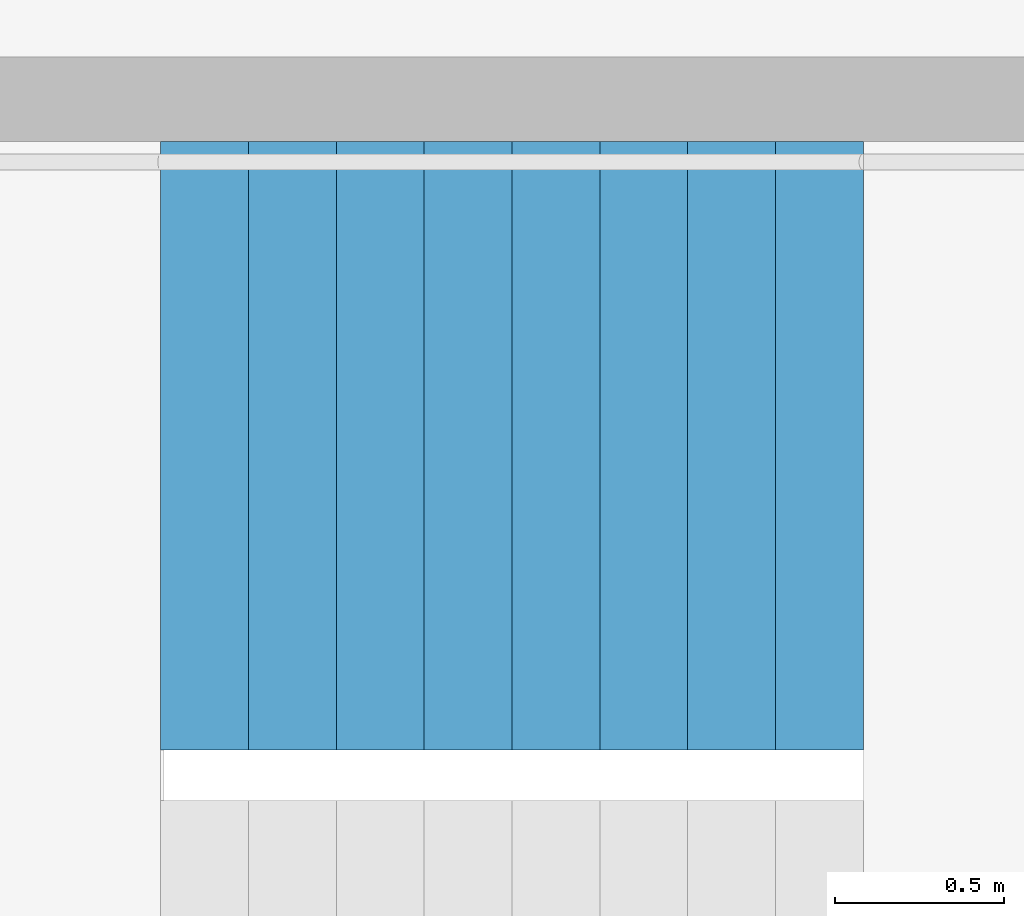
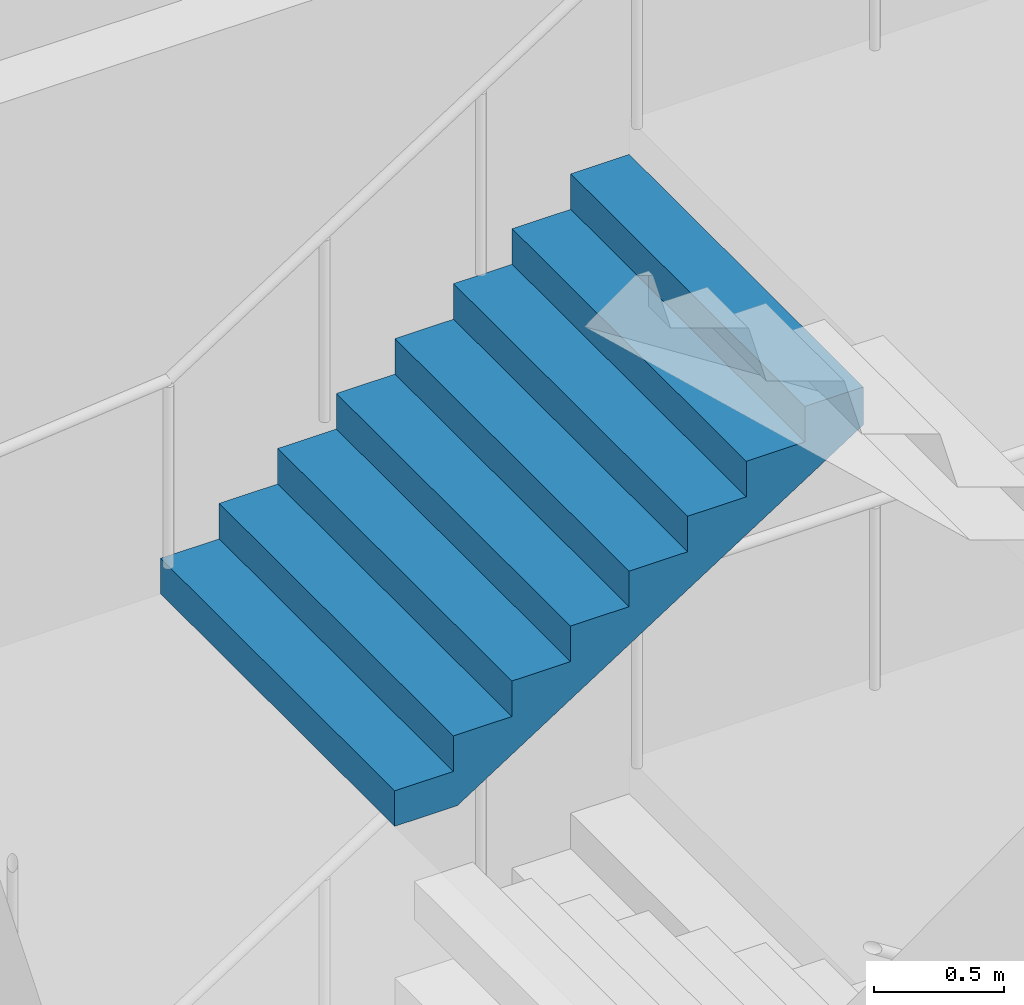
# One storey, part 29 of 35: 1 stair flight, 1 element without a shape of its own.
"""IFC4 building model written with IfcOpenShell, lengths in metres."""

from ifc_helpers import new_model, si_unit, direction, frame, origin, place, context, subcontext, project, spatial, triangles, material, type_object, element, aggregate, save


model = new_model("IFC4")

# Units and contexts
model_context = context("Model", 3, precision=1e-05, world=origin(), true_north=direction((0.0, 1.0)))
body_context = subcontext(model_context, "Body", "Model", "MODEL_VIEW")
ifc_project = project(units=[si_unit("LENGTHUNIT", "METRE"), si_unit("AREAUNIT", "SQUARE_METRE"), si_unit("VOLUMEUNIT", "CUBIC_METRE"), si_unit("PLANEANGLEUNIT", "RADIAN"), si_unit("MASSUNIT", "GRAM", prefix="KILO")], contexts=[model_context])

# Site, building, storey
site_placement = place(None, origin())
site = spatial("IfcSite", under=ifc_project, at=site_placement, CompositionType="ELEMENT")
building_placement = place(site_placement, origin())
building = spatial("IfcBuilding", under=site, at=building_placement, Name="Hakoniwa Tower and Hamabe Station Hall", CompositionType="ELEMENT")
storey_placement = place(building_placement, frame((0.0, 0.0, 270.60009765625)))
storey = spatial("IfcBuildingStorey", under=building, at=storey_placement, Name="L76", CompositionType="ELEMENT", Elevation=270.60009765625)

# Stair, stair flight
ifc_material_1 = material(Name="Concrete C40", Category="concrete")
stair_type = type_object("IfcStairType", Name="ESCAPE STAIR 1800", PredefinedType="HALF_TURN_STAIR", material=ifc_material_1)
stair_placement = place(storey_placement, origin())
stair = element("IfcStair", 1, at=stair_placement, inside=storey, type_object=stair_type, Name="Escape stair ST-4 L76", PredefinedType="HALF_TURN_STAIR")
ifc_material_2 = material(Name="Concrete C40", Category="concrete")
stair_flight_type = type_object("IfcStairFlightType", Name="STAIR FLIGHT 1800", PredefinedType="STRAIGHT", material=ifc_material_2)
stair_flight_placement = place(storey_placement, frame((23.39990234375, -4.64990234375, 3.0), z_axis=(0.0, 0.0, 1.0), x_axis=(1.0, 0.0, 0.0)))
stair_flight = element("IfcStairFlight", 2, at=stair_flight_placement, type_object=stair_flight_type, Name="ST-4 flight 3", NumberOfRisers=9, NumberOfTreads=8, PredefinedType="STRAIGHT", RiserHeight=0.166666667, TreadLength=0.26, context=body_context, shape_type="Tessellation", body=[
    triangles([(0.0, 0.89990234375, 0.0), (0.260009765625, 0.89990234375, 0.0), (0.27783203125, 0.89990234375, 0.0), (0.52001953125, 0.89990234375, 0.1552734375), (0.780029296875, 0.89990234375, 0.322021484375), (1.0400390625, 0.89990234375, 0.488525390625), (1.300048828125, 0.89990234375, 0.6552734375), (1.56005859375, 0.89990234375, 0.822021484375), (1.820068359375, 0.89990234375, 0.988525390625), (2.080078125, 0.89990234375, 1.1552734375), (2.080078125, 0.89990234375, 1.333251953125), (1.820068359375, 0.89990234375, 1.333251953125), (1.820068359375, 0.89990234375, 1.166748046875), (1.56005859375, 0.89990234375, 1.166748046875), (1.56005859375, 0.89990234375, 1.0), (1.300048828125, 0.89990234375, 1.0), (1.300048828125, 0.89990234375, 0.833251953125), (1.0400390625, 0.89990234375, 0.833251953125), (1.0400390625, 0.89990234375, 0.666748046875), (0.780029296875, 0.89990234375, 0.666748046875), (0.780029296875, 0.89990234375, 0.5), (0.52001953125, 0.89990234375, 0.5), (0.52001953125, 0.89990234375, 0.333251953125), (0.27783203125, 0.89990234375, 0.333251953125), (0.260009765625, 0.89990234375, 0.333251953125), (0.260009765625, 0.89990234375, 0.166748046875), (0.0, 0.89990234375, 0.166748046875), (0.0, 0.06005859375, 0.0), (0.260009765625, 0.06005859375, 0.0), (0.27783203125, 0.06005859375, 0.0), (0.52001953125, 0.06005859375, 0.1552734375), (0.780029296875, 0.06005859375, 0.322021484375), (1.0400390625, 0.06005859375, 0.488525390625), (1.300048828125, 0.06005859375, 0.6552734375), (1.56005859375, 0.06005859375, 0.822021484375), (1.820068359375, 0.06005859375, 0.988525390625), (2.080078125, 0.06005859375, 1.1552734375), (2.080078125, 0.06005859375, 1.333251953125), (1.820068359375, 0.06005859375, 1.333251953125), (1.820068359375, 0.06005859375, 1.166748046875), (1.56005859375, 0.06005859375, 1.166748046875), (1.56005859375, 0.06005859375, 1.0), (1.300048828125, 0.06005859375, 1.0), (1.300048828125, 0.06005859375, 0.833251953125), (1.0400390625, 0.06005859375, 0.833251953125), (1.0400390625, 0.06005859375, 0.666748046875), (0.780029296875, 0.06005859375, 0.666748046875), (0.780029296875, 0.06005859375, 0.5), (0.52001953125, 0.06005859375, 0.5), (0.52001953125, 0.06005859375, 0.333251953125), (0.27783203125, 0.06005859375, 0.333251953125), (0.260009765625, 0.06005859375, 0.333251953125), (0.260009765625, 0.06005859375, 0.166748046875), (0.0, 0.06005859375, 0.166748046875), (0.0, 0.04296875, 0.0), (0.260009765625, 0.04296875, 0.0), (0.27783203125, 0.04296875, 0.0), (0.52001953125, 0.04296875, 0.1552734375), (0.780029296875, 0.04296875, 0.322021484375), (1.0400390625, 0.04296875, 0.488525390625), (1.300048828125, 0.04296875, 0.6552734375), (1.56005859375, 0.04296875, 0.822021484375), (1.820068359375, 0.04296875, 0.988525390625), (2.080078125, 0.04296875, 1.1552734375), (2.080078125, 0.04296875, 1.333251953125), (1.820068359375, 0.04296875, 1.333251953125), (1.820068359375, 0.04296875, 1.166748046875), (1.56005859375, 0.04296875, 1.166748046875), (1.56005859375, 0.04296875, 1.0), (1.300048828125, 0.04296875, 1.0), (1.300048828125, 0.04296875, 0.833251953125), (1.0400390625, 0.04296875, 0.833251953125), (1.0400390625, 0.04296875, 0.666748046875), (0.780029296875, 0.04296875, 0.666748046875), (0.780029296875, 0.04296875, 0.5), (0.52001953125, 0.04296875, 0.5), (0.52001953125, 0.04296875, 0.333251953125), (0.27783203125, 0.04296875, 0.333251953125), (0.260009765625, 0.04296875, 0.333251953125), (0.260009765625, 0.04296875, 0.166748046875), (0.0, 0.04296875, 0.166748046875), (0.0, 0.025634765625, 0.0), (0.260009765625, 0.025634765625, 0.0), (0.27783203125, 0.025634765625, 0.0), (0.52001953125, 0.025634765625, 0.1552734375), (0.780029296875, 0.025634765625, 0.322021484375), (1.0400390625, 0.025634765625, 0.488525390625), (1.300048828125, 0.025634765625, 0.6552734375), (1.56005859375, 0.025634765625, 0.822021484375), (1.820068359375, 0.025634765625, 0.988525390625), (2.080078125, 0.025634765625, 1.1552734375), (2.080078125, 0.025634765625, 1.333251953125), (1.820068359375, 0.025634765625, 1.333251953125), (1.820068359375, 0.025634765625, 1.166748046875), (1.56005859375, 0.025634765625, 1.166748046875), (1.56005859375, 0.025634765625, 1.0), (1.300048828125, 0.025634765625, 1.0), (1.300048828125, 0.025634765625, 0.833251953125), (1.0400390625, 0.025634765625, 0.833251953125), (1.0400390625, 0.025634765625, 0.666748046875), (0.780029296875, 0.025634765625, 0.666748046875), (0.780029296875, 0.025634765625, 0.5), (0.52001953125, 0.025634765625, 0.5), (0.52001953125, 0.025634765625, 0.333251953125), (0.27783203125, 0.025634765625, 0.333251953125), (0.260009765625, 0.025634765625, 0.333251953125), (0.260009765625, 0.025634765625, 0.166748046875), (0.0, 0.025634765625, 0.166748046875), (0.0, 0.008544921875, 0.0), (0.260009765625, 0.008544921875, 0.0), (0.27783203125, 0.008544921875, 0.0), (0.52001953125, 0.008544921875, 0.1552734375), (0.780029296875, 0.008544921875, 0.322021484375), (1.0400390625, 0.008544921875, 0.488525390625), (1.300048828125, 0.008544921875, 0.6552734375), (1.56005859375, 0.008544921875, 0.822021484375), (1.820068359375, 0.008544921875, 0.988525390625), (2.080078125, 0.008544921875, 1.1552734375), (2.080078125, 0.008544921875, 1.333251953125), (1.820068359375, 0.008544921875, 1.333251953125), (1.820068359375, 0.008544921875, 1.166748046875), (1.56005859375, 0.008544921875, 1.166748046875), (1.56005859375, 0.008544921875, 1.0), (1.300048828125, 0.008544921875, 1.0), (1.300048828125, 0.008544921875, 0.833251953125), (1.0400390625, 0.008544921875, 0.833251953125), (1.0400390625, 0.008544921875, 0.666748046875), (0.780029296875, 0.008544921875, 0.666748046875), (0.780029296875, 0.008544921875, 0.5), (0.52001953125, 0.008544921875, 0.5), (0.52001953125, 0.008544921875, 0.333251953125), (0.27783203125, 0.008544921875, 0.333251953125), (0.260009765625, 0.008544921875, 0.333251953125), (0.260009765625, 0.008544921875, 0.166748046875), (0.0, 0.008544921875, 0.166748046875), (0.0, -0.008544921875, 0.0), (0.260009765625, -0.008544921875, 0.0), (0.27783203125, -0.008544921875, 0.0), (0.52001953125, -0.008544921875, 0.1552734375), (0.780029296875, -0.008544921875, 0.322021484375), (1.0400390625, -0.008544921875, 0.488525390625), (1.300048828125, -0.008544921875, 0.6552734375), (1.56005859375, -0.008544921875, 0.822021484375), (1.820068359375, -0.008544921875, 0.988525390625), (2.080078125, -0.008544921875, 1.1552734375), (2.080078125, -0.008544921875, 1.333251953125), (1.820068359375, -0.008544921875, 1.333251953125), (1.820068359375, -0.008544921875, 1.166748046875), (1.56005859375, -0.008544921875, 1.166748046875), (1.56005859375, -0.008544921875, 1.0), (1.300048828125, -0.008544921875, 1.0), (1.300048828125, -0.008544921875, 0.833251953125), (1.0400390625, -0.008544921875, 0.833251953125), (1.0400390625, -0.008544921875, 0.666748046875), (0.780029296875, -0.008544921875, 0.666748046875), (0.780029296875, -0.008544921875, 0.5), (0.52001953125, -0.008544921875, 0.5), (0.52001953125, -0.008544921875, 0.333251953125), (0.27783203125, -0.008544921875, 0.333251953125), (0.260009765625, -0.008544921875, 0.333251953125), (0.260009765625, -0.008544921875, 0.166748046875), (0.0, -0.008544921875, 0.166748046875), (0.0, -0.025634765625, 0.0), (0.260009765625, -0.025634765625, 0.0), (0.27783203125, -0.025634765625, 0.0), (0.52001953125, -0.025634765625, 0.1552734375), (0.780029296875, -0.025634765625, 0.322021484375), (1.0400390625, -0.025634765625, 0.488525390625), (1.300048828125, -0.025634765625, 0.6552734375), (1.56005859375, -0.025634765625, 0.822021484375), (1.820068359375, -0.025634765625, 0.988525390625), (2.080078125, -0.025634765625, 1.1552734375), (2.080078125, -0.025634765625, 1.333251953125), (1.820068359375, -0.025634765625, 1.333251953125), (1.820068359375, -0.025634765625, 1.166748046875), (1.56005859375, -0.025634765625, 1.166748046875), (1.56005859375, -0.025634765625, 1.0), (1.300048828125, -0.025634765625, 1.0), (1.300048828125, -0.025634765625, 0.833251953125), (1.0400390625, -0.025634765625, 0.833251953125), (1.0400390625, -0.025634765625, 0.666748046875), (0.780029296875, -0.025634765625, 0.666748046875), (0.780029296875, -0.025634765625, 0.5), (0.52001953125, -0.025634765625, 0.5), (0.52001953125, -0.025634765625, 0.333251953125), (0.27783203125, -0.025634765625, 0.333251953125), (0.260009765625, -0.025634765625, 0.333251953125), (0.260009765625, -0.025634765625, 0.166748046875), (0.0, -0.025634765625, 0.166748046875), (0.0, -0.04296875, 0.0), (0.260009765625, -0.04296875, 0.0), (0.27783203125, -0.04296875, 0.0), (0.52001953125, -0.04296875, 0.1552734375), (0.780029296875, -0.04296875, 0.322021484375), (1.0400390625, -0.04296875, 0.488525390625), (1.300048828125, -0.04296875, 0.6552734375), (1.56005859375, -0.04296875, 0.822021484375), (1.820068359375, -0.04296875, 0.988525390625), (2.080078125, -0.04296875, 1.1552734375), (2.080078125, -0.04296875, 1.333251953125), (1.820068359375, -0.04296875, 1.333251953125), (1.820068359375, -0.04296875, 1.166748046875), (1.56005859375, -0.04296875, 1.166748046875), (1.56005859375, -0.04296875, 1.0), (1.300048828125, -0.04296875, 1.0), (1.300048828125, -0.04296875, 0.833251953125), (1.0400390625, -0.04296875, 0.833251953125), (1.0400390625, -0.04296875, 0.666748046875), (0.780029296875, -0.04296875, 0.666748046875), (0.780029296875, -0.04296875, 0.5), (0.52001953125, -0.04296875, 0.5), (0.52001953125, -0.04296875, 0.333251953125), (0.27783203125, -0.04296875, 0.333251953125), (0.260009765625, -0.04296875, 0.333251953125), (0.260009765625, -0.04296875, 0.166748046875), (0.0, -0.04296875, 0.166748046875), (0.0, -0.06005859375, 0.0), (0.260009765625, -0.06005859375, 0.0), (0.27783203125, -0.06005859375, 0.0), (0.52001953125, -0.06005859375, 0.1552734375), (0.780029296875, -0.06005859375, 0.322021484375), (1.0400390625, -0.06005859375, 0.488525390625), (1.300048828125, -0.06005859375, 0.6552734375), (1.56005859375, -0.06005859375, 0.822021484375), (1.820068359375, -0.06005859375, 0.988525390625), (2.080078125, -0.06005859375, 1.1552734375), (2.080078125, -0.06005859375, 1.333251953125), (1.820068359375, -0.06005859375, 1.333251953125), (1.820068359375, -0.06005859375, 1.166748046875), (1.56005859375, -0.06005859375, 1.166748046875), (1.56005859375, -0.06005859375, 1.0), (1.300048828125, -0.06005859375, 1.0), (1.300048828125, -0.06005859375, 0.833251953125), (1.0400390625, -0.06005859375, 0.833251953125), (1.0400390625, -0.06005859375, 0.666748046875), (0.780029296875, -0.06005859375, 0.666748046875), (0.780029296875, -0.06005859375, 0.5), (0.52001953125, -0.06005859375, 0.5), (0.52001953125, -0.06005859375, 0.333251953125), (0.27783203125, -0.06005859375, 0.333251953125), (0.260009765625, -0.06005859375, 0.333251953125), (0.260009765625, -0.06005859375, 0.166748046875), (0.0, -0.06005859375, 0.166748046875), (0.0, -0.89990234375, 0.0), (0.260009765625, -0.89990234375, 0.0), (0.27783203125, -0.89990234375, 0.0), (0.52001953125, -0.89990234375, 0.1552734375), (0.780029296875, -0.89990234375, 0.322021484375), (1.0400390625, -0.89990234375, 0.488525390625), (1.300048828125, -0.89990234375, 0.6552734375), (1.56005859375, -0.89990234375, 0.822021484375), (1.820068359375, -0.89990234375, 0.988525390625), (2.080078125, -0.89990234375, 1.1552734375), (2.080078125, -0.89990234375, 1.333251953125), (1.820068359375, -0.89990234375, 1.333251953125), (1.820068359375, -0.89990234375, 1.166748046875), (1.56005859375, -0.89990234375, 1.166748046875), (1.56005859375, -0.89990234375, 1.0), (1.300048828125, -0.89990234375, 1.0), (1.300048828125, -0.89990234375, 0.833251953125), (1.0400390625, -0.89990234375, 0.833251953125), (1.0400390625, -0.89990234375, 0.666748046875), (0.780029296875, -0.89990234375, 0.666748046875), (0.780029296875, -0.89990234375, 0.5), (0.52001953125, -0.89990234375, 0.5), (0.52001953125, -0.89990234375, 0.333251953125), (0.27783203125, -0.89990234375, 0.333251953125), (0.260009765625, -0.89990234375, 0.333251953125), (0.260009765625, -0.89990234375, 0.166748046875), (0.0, -0.89990234375, 0.166748046875)], [[2, 27, 26], [245, 269, 270], [2, 1, 27], [245, 270, 244], [3, 25, 24], [246, 267, 268], [3, 26, 25], [246, 268, 269], [3, 2, 26], [246, 269, 245], [4, 24, 23], [247, 266, 267], [4, 3, 24], [247, 267, 246], [5, 22, 21], [248, 264, 265], [5, 23, 22], [248, 265, 266], [5, 4, 23], [248, 266, 247], [6, 20, 19], [249, 262, 263], [6, 21, 20], [249, 263, 264], [6, 5, 21], [249, 264, 248], [7, 18, 17], [250, 260, 261], [7, 19, 18], [250, 261, 262], [7, 6, 19], [250, 262, 249], [8, 16, 15], [251, 258, 259], [8, 17, 16], [251, 259, 260], [8, 7, 17], [251, 260, 250], [9, 14, 13], [252, 256, 257], [9, 15, 14], [252, 257, 258], [9, 8, 15], [252, 258, 251], [10, 12, 11], [253, 254, 255], [10, 13, 12], [253, 255, 256], [10, 9, 13], [253, 256, 252], [1, 2, 29], [1, 29, 28], [28, 29, 56], [28, 56, 55], [55, 56, 83], [55, 83, 82], [82, 83, 110], [82, 110, 109], [109, 110, 137], [109, 137, 136], [136, 137, 164], [136, 164, 163], [163, 164, 191], [163, 191, 190], [190, 191, 218], [190, 218, 217], [217, 218, 245], [217, 245, 244], [2, 3, 30], [2, 30, 29], [29, 30, 57], [29, 57, 56], [56, 57, 84], [56, 84, 83], [83, 84, 111], [83, 111, 110], [110, 111, 138], [110, 138, 137], [137, 138, 165], [137, 165, 164], [164, 165, 192], [164, 192, 191], [191, 192, 219], [191, 219, 218], [218, 219, 246], [218, 246, 245], [3, 4, 31], [3, 31, 30], [30, 31, 58], [30, 58, 57], [57, 58, 85], [57, 85, 84], [84, 85, 112], [84, 112, 111], [111, 112, 139], [111, 139, 138], [138, 139, 166], [138, 166, 165], [165, 166, 193], [165, 193, 192], [192, 193, 220], [192, 220, 219], [219, 220, 247], [219, 247, 246], [4, 5, 32], [4, 32, 31], [31, 32, 59], [31, 59, 58], [58, 59, 86], [58, 86, 85], [85, 86, 113], [85, 113, 112], [112, 113, 140], [112, 140, 139], [139, 140, 167], [139, 167, 166], [166, 167, 194], [166, 194, 193], [193, 194, 221], [193, 221, 220], [220, 221, 248], [220, 248, 247], [5, 6, 33], [5, 33, 32], [32, 33, 60], [32, 60, 59], [59, 60, 87], [59, 87, 86], [86, 87, 114], [86, 114, 113], [113, 114, 141], [113, 141, 140], [140, 141, 168], [140, 168, 167], [167, 168, 195], [167, 195, 194], [194, 195, 222], [194, 222, 221], [221, 222, 249], [221, 249, 248], [6, 7, 34], [6, 34, 33], [33, 34, 61], [33, 61, 60], [60, 61, 88], [60, 88, 87], [87, 88, 115], [87, 115, 114], [114, 115, 142], [114, 142, 141], [141, 142, 169], [141, 169, 168], [168, 169, 196], [168, 196, 195], [195, 196, 223], [195, 223, 222], [222, 223, 250], [222, 250, 249], [7, 8, 35], [7, 35, 34], [34, 35, 62], [34, 62, 61], [61, 62, 89], [61, 89, 88], [88, 89, 116], [88, 116, 115], [115, 116, 143], [115, 143, 142], [142, 143, 170], [142, 170, 169], [169, 170, 197], [169, 197, 196], [196, 197, 224], [196, 224, 223], [223, 224, 251], [223, 251, 250], [8, 9, 36], [8, 36, 35], [35, 36, 63], [35, 63, 62], [62, 63, 90], [62, 90, 89], [89, 90, 117], [89, 117, 116], [116, 117, 144], [116, 144, 143], [143, 144, 171], [143, 171, 170], [170, 171, 198], [170, 198, 197], [197, 198, 225], [197, 225, 224], [224, 225, 252], [224, 252, 251], [9, 10, 37], [9, 37, 36], [36, 37, 64], [36, 64, 63], [63, 64, 91], [63, 91, 90], [90, 91, 118], [90, 118, 117], [117, 118, 145], [117, 145, 144], [144, 145, 172], [144, 172, 171], [171, 172, 199], [171, 199, 198], [198, 199, 226], [198, 226, 225], [225, 226, 253], [225, 253, 252], [10, 11, 38], [10, 38, 37], [37, 38, 65], [37, 65, 64], [64, 65, 92], [64, 92, 91], [91, 92, 119], [91, 119, 118], [118, 119, 146], [118, 146, 145], [145, 146, 173], [145, 173, 172], [172, 173, 200], [172, 200, 199], [199, 200, 227], [199, 227, 226], [226, 227, 254], [226, 254, 253], [11, 12, 39], [11, 39, 38], [38, 39, 66], [38, 66, 65], [65, 66, 93], [65, 93, 92], [92, 93, 120], [92, 120, 119], [119, 120, 147], [119, 147, 146], [146, 147, 174], [146, 174, 173], [173, 174, 201], [173, 201, 200], [200, 201, 228], [200, 228, 227], [227, 228, 255], [227, 255, 254], [12, 13, 40], [12, 40, 39], [39, 40, 67], [39, 67, 66], [66, 67, 94], [66, 94, 93], [93, 94, 121], [93, 121, 120], [120, 121, 148], [120, 148, 147], [147, 148, 175], [147, 175, 174], [174, 175, 202], [174, 202, 201], [201, 202, 229], [201, 229, 228], [228, 229, 256], [228, 256, 255], [13, 14, 41], [13, 41, 40], [40, 41, 68], [40, 68, 67], [67, 68, 95], [67, 95, 94], [94, 95, 122], [94, 122, 121], [121, 122, 149], [121, 149, 148], [148, 149, 176], [148, 176, 175], [175, 176, 203], [175, 203, 202], [202, 203, 230], [202, 230, 229], [229, 230, 257], [229, 257, 256], [14, 15, 42], [14, 42, 41], [41, 42, 69], [41, 69, 68], [68, 69, 96], [68, 96, 95], [95, 96, 123], [95, 123, 122], [122, 123, 150], [122, 150, 149], [149, 150, 177], [149, 177, 176], [176, 177, 204], [176, 204, 203], [203, 204, 231], [203, 231, 230], [230, 231, 258], [230, 258, 257], [15, 16, 43], [15, 43, 42], [42, 43, 70], [42, 70, 69], [69, 70, 97], [69, 97, 96], [96, 97, 124], [96, 124, 123], [123, 124, 151], [123, 151, 150], [150, 151, 178], [150, 178, 177], [177, 178, 205], [177, 205, 204], [204, 205, 232], [204, 232, 231], [231, 232, 259], [231, 259, 258], [16, 17, 44], [16, 44, 43], [43, 44, 71], [43, 71, 70], [70, 71, 98], [70, 98, 97], [97, 98, 125], [97, 125, 124], [124, 125, 152], [124, 152, 151], [151, 152, 179], [151, 179, 178], [178, 179, 206], [178, 206, 205], [205, 206, 233], [205, 233, 232], [232, 233, 260], [232, 260, 259], [17, 18, 45], [17, 45, 44], [44, 45, 72], [44, 72, 71], [71, 72, 99], [71, 99, 98], [98, 99, 126], [98, 126, 125], [125, 126, 153], [125, 153, 152], [152, 153, 180], [152, 180, 179], [179, 180, 207], [179, 207, 206], [206, 207, 234], [206, 234, 233], [233, 234, 261], [233, 261, 260], [18, 19, 46], [18, 46, 45], [45, 46, 73], [45, 73, 72], [72, 73, 100], [72, 100, 99], [99, 100, 127], [99, 127, 126], [126, 127, 154], [126, 154, 153], [153, 154, 181], [153, 181, 180], [180, 181, 208], [180, 208, 207], [207, 208, 235], [207, 235, 234], [234, 235, 262], [234, 262, 261], [19, 20, 47], [19, 47, 46], [46, 47, 74], [46, 74, 73], [73, 74, 101], [73, 101, 100], [100, 101, 128], [100, 128, 127], [127, 128, 155], [127, 155, 154], [154, 155, 182], [154, 182, 181], [181, 182, 209], [181, 209, 208], [208, 209, 236], [208, 236, 235], [235, 236, 263], [235, 263, 262], [20, 21, 48], [20, 48, 47], [47, 48, 75], [47, 75, 74], [74, 75, 102], [74, 102, 101], [101, 102, 129], [101, 129, 128], [128, 129, 156], [128, 156, 155], [155, 156, 183], [155, 183, 182], [182, 183, 210], [182, 210, 209], [209, 210, 237], [209, 237, 236], [236, 237, 264], [236, 264, 263], [21, 22, 49], [21, 49, 48], [48, 49, 76], [48, 76, 75], [75, 76, 103], [75, 103, 102], [102, 103, 130], [102, 130, 129], [129, 130, 157], [129, 157, 156], [156, 157, 184], [156, 184, 183], [183, 184, 211], [183, 211, 210], [210, 211, 238], [210, 238, 237], [237, 238, 265], [237, 265, 264], [22, 23, 50], [22, 50, 49], [49, 50, 77], [49, 77, 76], [76, 77, 104], [76, 104, 103], [103, 104, 131], [103, 131, 130], [130, 131, 158], [130, 158, 157], [157, 158, 185], [157, 185, 184], [184, 185, 212], [184, 212, 211], [211, 212, 239], [211, 239, 238], [238, 239, 266], [238, 266, 265], [23, 24, 51], [23, 51, 50], [50, 51, 78], [50, 78, 77], [77, 78, 105], [77, 105, 104], [104, 105, 132], [104, 132, 131], [131, 132, 159], [131, 159, 158], [158, 159, 186], [158, 186, 185], [185, 186, 213], [185, 213, 212], [212, 213, 240], [212, 240, 239], [239, 240, 267], [239, 267, 266], [24, 25, 52], [24, 52, 51], [51, 52, 79], [51, 79, 78], [78, 79, 106], [78, 106, 105], [105, 106, 133], [105, 133, 132], [132, 133, 160], [132, 160, 159], [159, 160, 187], [159, 187, 186], [186, 187, 214], [186, 214, 213], [213, 214, 241], [213, 241, 240], [240, 241, 268], [240, 268, 267], [25, 26, 53], [25, 53, 52], [52, 53, 80], [52, 80, 79], [79, 80, 107], [79, 107, 106], [106, 107, 134], [106, 134, 133], [133, 134, 161], [133, 161, 160], [160, 161, 188], [160, 188, 187], [187, 188, 215], [187, 215, 214], [214, 215, 242], [214, 242, 241], [241, 242, 269], [241, 269, 268], [26, 27, 54], [26, 54, 53], [53, 54, 81], [53, 81, 80], [80, 81, 108], [80, 108, 107], [107, 108, 135], [107, 135, 134], [134, 135, 162], [134, 162, 161], [161, 162, 189], [161, 189, 188], [188, 189, 216], [188, 216, 215], [215, 216, 243], [215, 243, 242], [242, 243, 270], [242, 270, 269], [27, 1, 28], [27, 28, 54], [54, 28, 55], [54, 55, 81], [81, 55, 82], [81, 82, 108], [108, 82, 109], [108, 109, 135], [135, 109, 136], [135, 136, 162], [162, 136, 163], [162, 163, 189], [189, 163, 190], [189, 190, 216], [216, 190, 217], [216, 217, 243], [243, 217, 244], [243, 244, 270]], closed=True),
])
aggregate(stair, [stair_flight])

save(model, "model.ifc")
